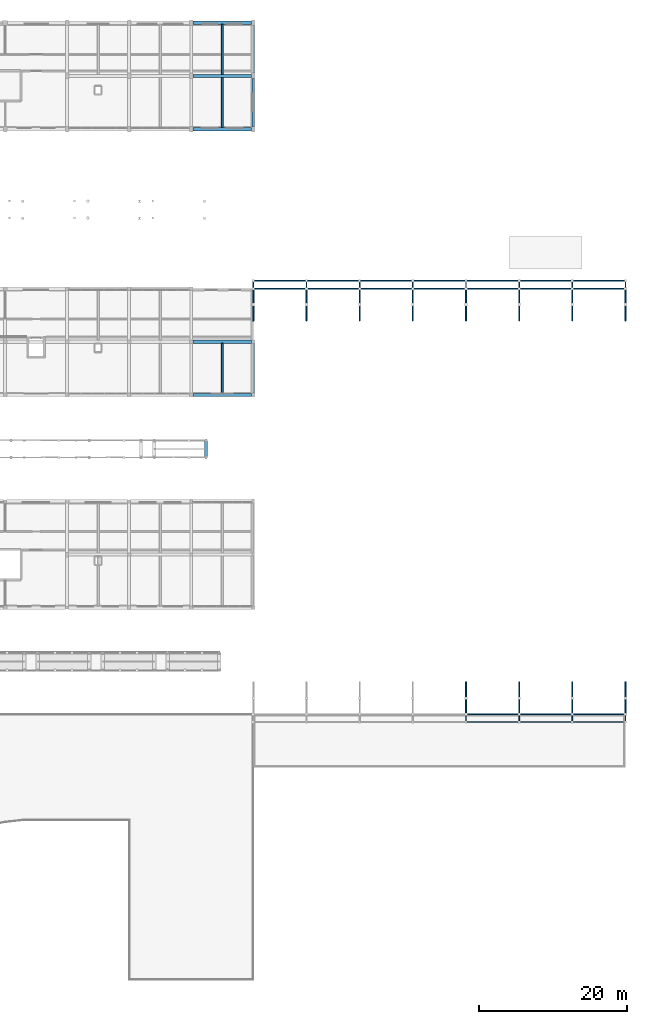
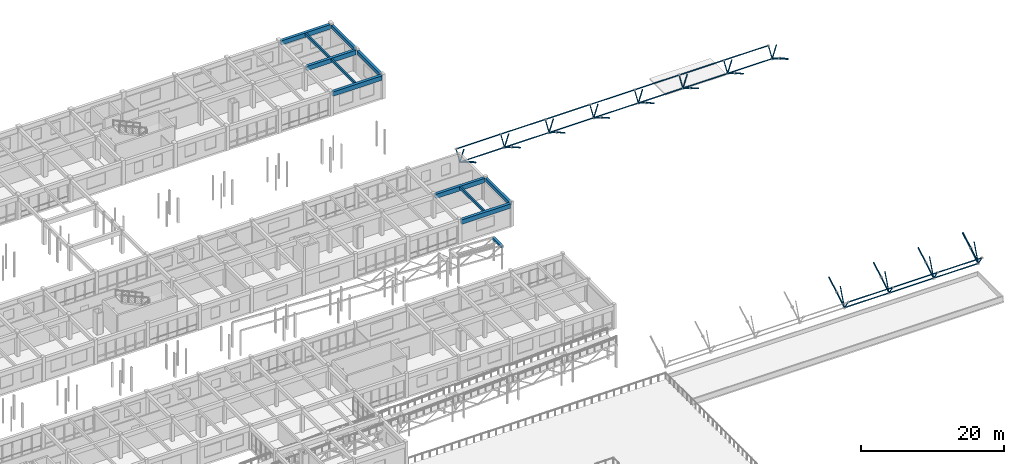
# One storey, part 55 of 90: 68 members, 12 beams.
"""IFC4 building model written with IfcOpenShell, lengths in metres."""

import ifcopenshell
import ifcopenshell.guid

model = None  # the IFC model being written
_history = None  # IfcOwnerHistory: only IFC2X3 demands one
_inside = {}  # id of a spatial element -> (the spatial element, [elements in it])
_under = {}  # id of a project, library or spatial element -> (it, [spatial elements below it])
_declared = {}  # id of a project -> (the project, [libraries it declares])
_typed = {}  # id of a type object -> (the type object, [elements of that type])
_made_of = {}  # id of a material, layer set ... -> (it, [elements and type objects made of it])


def new_model(schema):
    """Start an empty IFC model of exactly this schema.

    Asked for "IFC4X3", IfcOpenShell would pick the latest addendum, in which some entities
    have other attributes; the version numbers below select the first issue.
    IFC2X3 requires an IfcOwnerHistory on every rooted entity: one is made here for all.
    """
    global model, _history
    if schema == "IFC4X3":
        model = ifcopenshell.file(schema_version=(4, 3, 0, 0))
    else:
        model = ifcopenshell.file(schema=schema)
    _inside.clear()
    _under.clear()
    _declared.clear()
    _typed.clear()
    _made_of.clear()
    _history = None
    if model.schema == "IFC2X3":
        org = make("IfcOrganization", Name="unknown")
        user = make(
            "IfcPersonAndOrganization",
            ThePerson=make("IfcPerson", FamilyName="unknown"),
            TheOrganization=org,
        )
        app = make(
            "IfcApplication",
            ApplicationDeveloper=org,
            Version="unknown",
            ApplicationFullName="unknown",
            ApplicationIdentifier="unknown",
        )
        _history = make(
            "IfcOwnerHistory",
            OwningUser=user,
            OwningApplication=app,
            ChangeAction="ADDED",
            CreationDate=0,
        )
    return model


def make(cls, **values):
    """One entity of the class cls with the attributes given. An attribute that is None is left unset."""
    return model.create_entity(
        cls, **{name: value for name, value in values.items() if value is not None}
    )


def rooted(cls, **values):
    """An entity with a GlobalId (a new one), such as an element, a storey or a relation."""
    return make(cls, GlobalId=ifcopenshell.guid.new(), OwnerHistory=_history, **values)


def si_unit(unit_type, name, prefix=None):
    """IfcSIUnit, for example si_unit("LENGTHUNIT", "METRE", prefix="MILLI")."""
    return make("IfcSIUnit", UnitType=unit_type, Prefix=prefix, Name=name)


def assignment(units):
    """IfcUnitAssignment: the units of a project."""
    return None if units is None else make("IfcUnitAssignment", Units=units)


def point(xyz):
    """IfcCartesianPoint."""
    return None if xyz is None else make("IfcCartesianPoint", Coordinates=xyz)


def direction(xyz):
    """IfcDirection."""
    return None if xyz is None else make("IfcDirection", DirectionRatios=xyz)


def frame(location, z_axis=None, x_axis=None):
    """IfcAxis2Placement3D, a coordinate frame: its origin and axes. An axis left out is left unset."""
    return make(
        "IfcAxis2Placement3D",
        Location=point(location),
        Axis=direction(z_axis),
        RefDirection=direction(x_axis),
    )


def frame_2d(location, x_axis=None):
    """IfcAxis2Placement2D, a coordinate frame in the plane: its origin and x axis."""
    return make(
        "IfcAxis2Placement2D", Location=point(location), RefDirection=direction(x_axis)
    )


def origin():
    """The frame at (0, 0, 0) with its axes left unset."""
    return frame((0.0, 0.0, 0.0))


def origin_2d():
    """The frame at (0, 0) in the plane with its x axis left unset."""
    return frame_2d((0.0, 0.0))


def place(relative_to, where):
    """IfcLocalPlacement: puts the frame where relative to a parent placement (None: the world)."""
    return make(
        "IfcLocalPlacement", PlacementRelTo=relative_to, RelativePlacement=where
    )


def context(
    kind, dimensions, precision=None, world=None, true_north=None, identifier=None
):
    """IfcGeometricRepresentationContext, for example the 3D "Model" context."""
    return make(
        "IfcGeometricRepresentationContext",
        ContextIdentifier=identifier,
        ContextType=kind,
        CoordinateSpaceDimension=dimensions,
        Precision=precision,
        WorldCoordinateSystem=world,
        TrueNorth=true_north,
    )


def subcontext(parent, identifier, kind, view, scale=None):
    """IfcGeometricRepresentationSubContext, for example "Body" below "Model"."""
    return make(
        "IfcGeometricRepresentationSubContext",
        ContextIdentifier=identifier,
        ContextType=kind,
        ParentContext=parent,
        TargetScale=scale,
        TargetView=view,
    )


def project(units=None, contexts=None):
    """IfcProject with its units and contexts."""
    return rooted(
        "IfcProject",
        Name="project",
        RepresentationContexts=contexts,
        UnitsInContext=assignment(units),
    )


def spatial(cls, under=None, at=None, **own):
    """A site, building, storey or space (cls), placed at a placement, below another one or the project."""
    s = rooted(cls, ObjectPlacement=at, **own)
    if under is not None:
        _under.setdefault(under.id(), (under, []))[1].append(s)
    return s


def profile(cls, at=None, kind="AREA", **sizes):
    """A parametric profile (cls). Its sizes go by their IFC names, for example OverallWidth=200.0."""
    return make(cls, ProfileType=kind, Position=at, **sizes)


def rectangle(**sizes):
    """IfcRectangleProfileDef."""
    return profile("IfcRectangleProfileDef", **sizes)


def hollow_rectangle(**sizes):
    """IfcRectangleHollowProfileDef."""
    return profile("IfcRectangleHollowProfileDef", **sizes)


def hollow_circle(**sizes):
    """IfcCircleHollowProfileDef."""
    return profile("IfcCircleHollowProfileDef", **sizes)


def extrude(swept, where, along, depth):
    """IfcExtrudedAreaSolid: the profile swept, set in the frame where, extruded along a direction by depth."""
    return make(
        "IfcExtrudedAreaSolid",
        SweptArea=swept,
        Position=where,
        ExtrudedDirection=direction(along),
        Depth=depth,
    )


def shape(context_of_items, identifier, shape_type, items):
    """IfcShapeRepresentation: the items that make up one representation, for example the "Body"."""
    return make(
        "IfcShapeRepresentation",
        ContextOfItems=context_of_items,
        RepresentationIdentifier=identifier,
        RepresentationType=shape_type,
        Items=items,
    )


def material(Name=None, Category=None):
    """IfcMaterial."""
    return make("IfcMaterial", Name=Name, Category=Category)


def material_profile(
    of_material, cross_section, Name=None, Category=None, Priority=None
):
    """IfcMaterialProfile: a cross section and its material."""
    return make(
        "IfcMaterialProfile",
        Name=Name,
        Material=of_material,
        Profile=cross_section,
        Priority=Priority,
        Category=Category,
    )


def profile_set(profiles, Name=None, composite=None):
    """IfcMaterialProfileSet."""
    return make(
        "IfcMaterialProfileSet",
        Name=Name,
        MaterialProfiles=profiles,
        CompositeProfile=composite,
    )


def made_of(thing, what):
    """Note that an element or type object is made of a material, layer set ...; save() writes the relation."""
    if what is not None:
        _made_of.setdefault(what.id(), (what, []))[1].append(thing)
    return thing


def type_object(cls, material=None, **own):
    """A type object (cls), such as IfcWallType, which elements share."""
    return made_of(rooted(cls, **own), material)


def element(
    cls,
    number,
    at=None,
    inside=None,
    cuts=None,
    type_object=None,
    material=None,
    context=None,
    identifier="Body",
    shape_type=None,
    held_by="IfcProductDefinitionShape",
    body=None,
    shapes=None,
    **own,
):
    """One element of the class cls, such as IfcWall. Its Tag is "e" and its number.

    at: its placement. inside: the storey or other place that contains it. cuts: it is an
    opening in that element (IfcRelVoidsElement). A single representation is given by context,
    identifier, shape_type and body (its items); several are given by shapes. held_by: the class
    of the entity that holds the representations. save() writes the other relations.
    """
    e = rooted(cls, Tag="e%d" % number, ObjectPlacement=at, **own)
    if body is not None:
        shapes = [shape(context, identifier, shape_type, body)]
    if shapes is not None:
        e.Representation = make(held_by, Representations=shapes)
    if inside is not None:
        _inside.setdefault(inside.id(), (inside, []))[1].append(e)
    if cuts is not None:
        rooted(
            "IfcRelVoidsElement", RelatingBuildingElement=cuts, RelatedOpeningElement=e
        )
    if type_object is not None:
        _typed.setdefault(type_object.id(), (type_object, []))[1].append(e)
    return made_of(e, material)


def aggregate(whole, parts):
    """IfcRelAggregates: a whole, such as a stair, and the parts it consists of."""
    return rooted("IfcRelAggregates", RelatingObject=whole, RelatedObjects=parts)


def save(model, path):
    """Write the relations noted so far, then the file.

    IfcRelAggregates (storeys below a building ...), IfcRelContainedInSpatialStructure (elements
    in a storey), IfcRelDefinesByType, IfcRelAssociatesMaterial and IfcRelDeclares: one each for
    every whole, place, type object, material and project.
    """
    for whole, parts in _under.values():
        aggregate(whole, parts)
    for where, things in _inside.values():
        rooted(
            "IfcRelContainedInSpatialStructure",
            RelatedElements=things,
            RelatingStructure=where,
        )
    for kind, things in _typed.values():
        rooted("IfcRelDefinesByType", RelatedObjects=things, RelatingType=kind)
    for what, things in _made_of.values():
        rooted("IfcRelAssociatesMaterial", RelatedObjects=things, RelatingMaterial=what)
    for by, libraries in _declared.values():
        rooted("IfcRelDeclares", RelatingContext=by, RelatedDefinitions=libraries)
    model.write(path)


model = new_model("IFC4")

# Units and contexts
model_context = context("Model", 3, precision=1e-05, world=origin(), true_north=direction((0.0, 1.0)))
body_context = subcontext(model_context, "Body", "Model", "MODEL_VIEW")
ifc_project = project(units=[si_unit("LENGTHUNIT", "METRE"), si_unit("AREAUNIT", "SQUARE_METRE"), si_unit("VOLUMEUNIT", "CUBIC_METRE"), si_unit("PLANEANGLEUNIT", "RADIAN"), si_unit("MASSUNIT", "GRAM", prefix="KILO")], contexts=[model_context])

# Site, building, storey
site_placement = place(None, origin())
site = spatial("IfcSite", under=ifc_project, at=site_placement, CompositionType="ELEMENT")
building_placement = place(site_placement, origin())
building = spatial("IfcBuilding", under=site, at=building_placement, Name="Malvenik Polytechnic", CompositionType="ELEMENT")
storey_placement = place(building_placement, frame((0.0, 0.0, 9.300048828125)))
storey = spatial("IfcBuildingStorey", under=building, at=storey_placement, Name="L02", CompositionType="ELEMENT", Elevation=9.300048828125)

# Beams
ifc_material_1 = material(Name="Concrete C35/45", Category="concrete")
ifc_material_profile_1 = material_profile(ifc_material_1, rectangle(XDim=0.449951171875, YDim=0.75, at=origin_2d()), Name="RC BM 450x750")
ifc_profile_set_1 = profile_set([ifc_material_profile_1], Name="Concrete C35/45")
beam_type_1 = type_object("IfcBeamType", Name="STR-BM-B-03", PredefinedType="BEAM", material=ifc_profile_set_1)
for number, where, z_axis, x_axis, name in (
    (1, (126.248046875, 86.39990234375, 3.56494140625), (1.0, 0.0, 0.0), (0.0, 1.0, 0.0), "Primary Beam B-03 L02 #1403"),
    (2, (126.248046875, 122.39990234375, 3.56494140625), (1.0, 0.0, 0.0), (0.0, 1.0, 0.0), "Primary Beam B-03 L02 #1446"),
):
    element("IfcBeam", number, at=place(storey_placement, frame(where, z_axis=z_axis, x_axis=x_axis)), inside=storey, type_object=beam_type_1, Name=name, PredefinedType="BEAM", context=body_context, shape_type="SweptSolid", body=[
        extrude(rectangle(XDim=0.449951171875, YDim=0.75, at=origin_2d()), origin(), (0.0, 0.0, 1.0), 7.904052734375),
    ])
ifc_material_profile_2 = material_profile(ifc_material_1, rectangle(XDim=0.39990234375, YDim=0.60009765625, at=origin_2d()), Name="RC BM 400x600")
ifc_profile_set_2 = profile_set([ifc_material_profile_2], Name="Concrete C35/45")
beam_type_2 = type_object("IfcBeamType", Name="STR-BM-B-06", PredefinedType="BEAM", material=ifc_profile_set_2)
beam_1_placement = place(storey_placement, frame((134.39990234375, 79.447998046875, 3.639892578125), z_axis=(0.0, 1.0, 0.0), x_axis=(-1.0, 0.0, 0.0)))
element("IfcBeam", 3, at=beam_1_placement, inside=storey, type_object=beam_type_2, Name="Transverse Beam B-06 L02 #1557", PredefinedType="BEAM", context=body_context, shape_type="SweptSolid", body=[
    extrude(rectangle(XDim=0.39990234375, YDim=0.60009765625, at=origin_2d()), origin(), (0.0, 0.0, 1.0), 6.7041015625),
])
for number, where, z_axis, x_axis, name in (
    (4, (134.39990234375, 115.572998046875, 3.639892578125), (0.0, 1.0, 0.0), (-1.0, 0.0, 0.0), "Transverse Beam B-06 L02 #1558"),
    (5, (134.39990234375, 122.77294921875, 3.639892578125), (0.0, 1.0, 0.0), (-1.0, 0.0, 0.0), "Transverse Beam B-06 L02 #1559"),
):
    element("IfcBeam", number, at=place(storey_placement, frame(where, z_axis=z_axis, x_axis=x_axis)), inside=storey, type_object=beam_type_2, Name=name, PredefinedType="BEAM", context=body_context, shape_type="SweptSolid", body=[
        extrude(rectangle(XDim=0.39990234375, YDim=0.60009765625, at=origin_2d()), origin(), (0.0, 0.0, 1.0), 6.4541015625),
    ])
ifc_material_2 = material(Name="Concrete C30/37", Category="concrete")
ifc_material_profile_3 = material_profile(ifc_material_2, rectangle(XDim=0.25, YDim=0.449951171875, at=origin_2d()), Name="RC JST 250x450")
ifc_profile_set_3 = profile_set([ifc_material_profile_3], Name="Concrete C30/37")
beam_type_3 = type_object("IfcBeamType", Name="STR-BM-J-02", PredefinedType="JOIST", material=ifc_profile_set_3)
for number, where, z_axis, x_axis, name in (
    (6, (130.199951171875, 79.427978515625, 3.71484375), (0.0, 1.0, 0.0), (-1.0, 0.0, 0.0), "Secondary Rib Joist J-02 L02 #1619"),
    (7, (130.199951171875, 115.427978515625, 3.71484375), (0.0, 1.0, 0.0), (-1.0, 0.0, 0.0), "Secondary Rib Joist J-02 L02 #1620"),
    (8, (130.199951171875, 122.623046875, 3.71484375), (0.0, 1.0, 0.0), (-1.0, 0.0, 0.0), "Secondary Rib Joist J-02 L02 #1621"),
):
    element("IfcBeam", number, at=place(storey_placement, frame(where, z_axis=z_axis, x_axis=x_axis)), inside=storey, type_object=beam_type_3, Name=name, PredefinedType="JOIST", context=body_context, shape_type="SweptSolid", body=[
        extrude(rectangle(XDim=0.25, YDim=0.449951171875, at=origin_2d()), origin(), (0.0, 0.0, 1.0), 6.7490234375),
    ])
ifc_material_3 = material(Name="Steel S355J2H", Category="steel")
ifc_material_profile_4 = material_profile(ifc_material_3, hollow_rectangle(XDim=0.449951171875, YDim=0.300048828125, WallThickness=0.012451171875, at=origin_2d()), Name="RHS 450x300x12.5")
ifc_profile_set_4 = profile_set([ifc_material_profile_4], Name="Steel S355J2H")
beam_type_4 = type_object("IfcBeamType", Name="STR-BM-SB-07", PredefinedType="BEAM", material=ifc_profile_set_4)
beam_2_placement = place(storey_placement, frame((128.0, 70.64990234375, 3.822021484375), z_axis=(0.0, 1.0, 0.0), x_axis=(-1.0, 0.0, 0.0)))
element("IfcBeam", 9, at=beam_2_placement, inside=storey, type_object=beam_type_4, Name="Ramp Joint Transom RB-02 #0", PredefinedType="BEAM", context=body_context, shape_type="SweptSolid", body=[
    extrude(hollow_rectangle(XDim=0.449951171875, YDim=0.300048828125, WallThickness=0.012451171875, at=origin_2d()), origin(), (0.0, 0.0, 1.0), 2.5),
])
ifc_material_4 = material(Name="Precast concrete C40/50", Category="concrete")
ifc_material_profile_5 = material_profile(ifc_material_4, rectangle(XDim=0.4599609375, YDim=0.75, at=origin_2d()), Name="PC SPN 460x750")
ifc_profile_set_5 = profile_set([ifc_material_profile_5], Name="Precast concrete C40/50")
beam_type_5 = type_object("IfcBeamType", Name="STR-BM-SP-02", PredefinedType="SPANDREL", material=ifc_profile_set_5)
for number, where, z_axis, x_axis, name in (
    (10, (126.248046875, 79.199951171875, 3.56494140625), (1.0, 0.0, 0.0), (0.0, 1.0, 0.0), "Primary Beam SP-02 L02 #1391"),
    (11, (126.248046875, 115.199951171875, 3.56494140625), (1.0, 0.0, 0.0), (0.0, 1.0, 0.0), "Primary Beam SP-02 L02 #1436"),
    (12, (126.248046875, 129.60009765625, 3.56494140625), (1.0, 0.0, 0.0), (0.0, 1.0, 0.0), "Primary Beam SP-02 L02 #1462"),
):
    element("IfcBeam", number, at=place(storey_placement, frame(where, z_axis=z_axis, x_axis=x_axis)), inside=storey, type_object=beam_type_5, Name=name, PredefinedType="SPANDREL", context=body_context, shape_type="SweptSolid", body=[
        extrude(rectangle(XDim=0.4599609375, YDim=0.75, at=origin_2d()), origin(), (0.0, 0.0, 1.0), 7.904052734375),
    ])

# Members
ifc_material_profile_6 = material_profile(ifc_material_3, hollow_circle(Radius=0.136474609375, WallThickness=0.010009765625, at=origin_2d()), Name="CHS 273.0x10.0")
ifc_profile_set_6 = profile_set([ifc_material_profile_6], Name="Steel S355J2H")
member_type_1 = type_object("IfcMemberType", Name="STR-MEM-SFB-01", PredefinedType="CHORD", material=ifc_profile_set_6)
for number, where, z_axis, x_axis, name in (
    (13, (134.39990234375, 89.23681640625, 4.703857421875), (0.0, 0.870991146737, -0.491298709856), (-1.0, 0.0, 0.0), "Space-Frame Tube SFB-01 STR-SF-BC-0045"),
    (14, (134.39990234375, 91.451904296875, 3.454345703125), (0.0, 0.845898215959, -0.533344361775), (-1.0, 0.0, 0.0), "Space-Frame Tube SFB-01 STR-SF-BC-0047"),
    (15, (184.800048828125, 36.00341796875, 2.10205078125), (0.0, 0.845870822629, 0.533387805845), (-1.0, 0.0, 0.0), "Space-Frame Tube SFB-01 STR-SF-BC-0680"),
    (16, (184.800048828125, 38.15478515625, 3.458251953125), (0.0, 0.870991146737, 0.491298709856), (-1.0, 0.0, 0.0), "Space-Frame Tube SFB-01 STR-SF-BC-0682"),
    (17, (184.800048828125, 89.23681640625, 4.703857421875), (0.0, 0.870991146737, -0.491298709856), (-1.0, 0.0, 0.0), "Space-Frame Tube SFB-01 STR-SF-BC-0724"),
    (18, (184.800048828125, 91.451904296875, 3.454345703125), (0.0, 0.845898215959, -0.533344361775), (-1.0, 0.0, 0.0), "Space-Frame Tube SFB-01 STR-SF-BC-0726"),
):
    element("IfcMember", number, at=place(storey_placement, frame(where, z_axis=z_axis, x_axis=x_axis)), inside=storey, type_object=member_type_1, Name=name, PredefinedType="CHORD", context=body_context, shape_type="SweptSolid", body=[
        extrude(hollow_circle(Radius=0.136474609375, WallThickness=0.010009765625, at=origin_2d()), origin(), (0.0, 0.0, 1.0), 2.535400390625),
    ])
ifc_material_profile_7 = material_profile(ifc_material_3, hollow_circle(Radius=0.109619140625, WallThickness=0.010009765625, at=origin_2d()), Name="CHS 219.1x10.0")
ifc_profile_set_7 = profile_set([ifc_material_profile_7], Name="Steel S355J2H")
member_type_2 = type_object("IfcMemberType", Name="STR-MEM-SFB-02", PredefinedType="CHORD", material=ifc_profile_set_7)
for number, where, z_axis, x_axis, name in (
    (19, (141.60009765625, 89.23681640625, 4.703857421875), (0.0, 0.870991146737, -0.491298709856), (-1.0, 0.0, 0.0), "Space-Frame Tube SFB-02 STR-SF-BC-0142"),
    (20, (141.60009765625, 91.451904296875, 3.454345703125), (0.0, 0.845898215959, -0.533344361775), (-1.0, 0.0, 0.0), "Space-Frame Tube SFB-02 STR-SF-BC-0144"),
    (21, (156.0, 89.23681640625, 4.703857421875), (0.0, 0.870991146737, -0.491298709856), (-1.0, 0.0, 0.0), "Space-Frame Tube SFB-02 STR-SF-BC-0336"),
    (22, (156.0, 91.451904296875, 3.454345703125), (0.0, 0.845898215959, -0.533344361775), (-1.0, 0.0, 0.0), "Space-Frame Tube SFB-02 STR-SF-BC-0338"),
    (23, (170.39990234375, 36.00341796875, 2.10205078125), (0.0, 0.845870822629, 0.533387805845), (-1.0, 0.0, 0.0), "Space-Frame Tube SFB-02 STR-SF-BC-0486"),
    (24, (170.39990234375, 38.15478515625, 3.458251953125), (0.0, 0.870991146737, 0.491298709856), (-1.0, 0.0, 0.0), "Space-Frame Tube SFB-02 STR-SF-BC-0488"),
    (25, (170.39990234375, 89.23681640625, 4.703857421875), (0.0, 0.870991146737, -0.491298709856), (-1.0, 0.0, 0.0), "Space-Frame Tube SFB-02 STR-SF-BC-0530"),
    (26, (170.39990234375, 91.451904296875, 3.454345703125), (0.0, 0.845898215959, -0.533344361775), (-1.0, 0.0, 0.0), "Space-Frame Tube SFB-02 STR-SF-BC-0532"),
):
    element("IfcMember", number, at=place(storey_placement, frame(where, z_axis=z_axis, x_axis=x_axis)), inside=storey, type_object=member_type_2, Name=name, PredefinedType="CHORD", context=body_context, shape_type="SweptSolid", body=[
        extrude(hollow_circle(Radius=0.109619140625, WallThickness=0.010009765625, at=origin_2d()), origin(), (0.0, 0.0, 1.0), 2.535400390625),
    ])
ifc_material_profile_8 = material_profile(ifc_material_3, hollow_circle(Radius=0.109619140625, WallThickness=0.008056640625, at=origin_2d()), Name="CHS 219.1x8.0")
ifc_profile_set_8 = profile_set([ifc_material_profile_8], Name="Steel S355J2H")
member_type_3 = type_object("IfcMemberType", Name="STR-MEM-SFB-03", PredefinedType="CHORD", material=ifc_profile_set_8)
for number, where, z_axis, x_axis, name in (
    (27, (148.800048828125, 89.23681640625, 4.703857421875), (0.0, 0.870991146737, -0.491298709856), (-1.0, 0.0, 0.0), "Space-Frame Tube SFB-03 STR-SF-BC-0239"),
    (28, (148.800048828125, 91.451904296875, 3.454345703125), (0.0, 0.845898215959, -0.533344361775), (-1.0, 0.0, 0.0), "Space-Frame Tube SFB-03 STR-SF-BC-0241"),
    (29, (163.199951171875, 36.00341796875, 2.10205078125), (0.0, 0.845870822629, 0.533387805845), (-1.0, 0.0, 0.0), "Space-Frame Tube SFB-03 STR-SF-BC-0389"),
    (30, (163.199951171875, 38.15478515625, 3.458251953125), (0.0, 0.870991146737, 0.491298709856), (-1.0, 0.0, 0.0), "Space-Frame Tube SFB-03 STR-SF-BC-0391"),
    (31, (163.199951171875, 89.23681640625, 4.703857421875), (0.0, 0.870991146737, -0.491298709856), (-1.0, 0.0, 0.0), "Space-Frame Tube SFB-03 STR-SF-BC-0433"),
    (32, (163.199951171875, 91.451904296875, 3.454345703125), (0.0, 0.845898215959, -0.533344361775), (-1.0, 0.0, 0.0), "Space-Frame Tube SFB-03 STR-SF-BC-0435"),
    (33, (177.60009765625, 36.00341796875, 2.10205078125), (0.0, 0.845870822629, 0.533387805845), (-1.0, 0.0, 0.0), "Space-Frame Tube SFB-03 STR-SF-BC-0583"),
    (34, (177.60009765625, 38.15478515625, 3.458251953125), (0.0, 0.870991146737, 0.491298709856), (-1.0, 0.0, 0.0), "Space-Frame Tube SFB-03 STR-SF-BC-0585"),
    (35, (177.60009765625, 89.23681640625, 4.703857421875), (0.0, 0.870991146737, -0.491298709856), (-1.0, 0.0, 0.0), "Space-Frame Tube SFB-03 STR-SF-BC-0627"),
    (36, (177.60009765625, 91.451904296875, 3.454345703125), (0.0, 0.845898215959, -0.533344361775), (-1.0, 0.0, 0.0), "Space-Frame Tube SFB-03 STR-SF-BC-0629"),
):
    element("IfcMember", number, at=place(storey_placement, frame(where, z_axis=z_axis, x_axis=x_axis)), inside=storey, type_object=member_type_3, Name=name, PredefinedType="CHORD", context=body_context, shape_type="SweptSolid", body=[
        extrude(hollow_circle(Radius=0.109619140625, WallThickness=0.008056640625, at=origin_2d()), origin(), (0.0, 0.0, 1.0), 2.535400390625),
    ])
ifc_material_profile_9 = material_profile(ifc_material_3, hollow_circle(Radius=0.084228515625, WallThickness=0.008056640625, at=origin_2d()), Name="CHS 168.3x8.0")
ifc_profile_set_9 = profile_set([ifc_material_profile_9], Name="Steel S355J2H")
member_type_4 = type_object("IfcMemberType", Name="STR-MEM-SFD-01", PredefinedType="BRACE", material=ifc_profile_set_9)
for number, where, z_axis, x_axis, name in (
    (37, (134.39990234375, 93.602294921875, 2.103271484375), (0.0, 0.553847636022, 0.832618037321), (-1.0, 0.0, 0.0), "Space-Frame Tube SFD-01 STR-SF-WB-0073"),
    (38, (141.60009765625, 93.602294921875, 2.103271484375), (0.0, 0.553847636022, 0.832618037321), (-1.0, 0.0, 0.0), "Space-Frame Tube SFD-01 STR-SF-WB-0170"),
    (39, (148.800048828125, 93.602294921875, 2.103271484375), (0.0, 0.553847636022, 0.832618037321), (-1.0, 0.0, 0.0), "Space-Frame Tube SFD-01 STR-SF-WB-0267"),
    (40, (156.0, 93.602294921875, 2.103271484375), (0.0, 0.553847636022, 0.832618037321), (-1.0, 0.0, 0.0), "Space-Frame Tube SFD-01 STR-SF-WB-0364"),
    (41, (163.199951171875, 35.997802734375, 2.103271484375), (0.0, -0.553847636022, 0.832618037321), (1.0, 0.0, 0.0), "Space-Frame Tube SFD-01 STR-SF-WB-0437"),
    (42, (163.199951171875, 93.602294921875, 2.103271484375), (0.0, 0.553847636022, 0.832618037321), (-1.0, 0.0, 0.0), "Space-Frame Tube SFD-01 STR-SF-WB-0461"),
    (43, (170.39990234375, 35.997802734375, 2.103271484375), (0.0, -0.553847636022, 0.832618037321), (1.0, 0.0, 0.0), "Space-Frame Tube SFD-01 STR-SF-WB-0534"),
    (44, (170.39990234375, 93.602294921875, 2.103271484375), (0.0, 0.553847636022, 0.832618037321), (-1.0, 0.0, 0.0), "Space-Frame Tube SFD-01 STR-SF-WB-0558"),
    (45, (177.60009765625, 35.997802734375, 2.103271484375), (0.0, -0.553847636022, 0.832618037321), (1.0, 0.0, 0.0), "Space-Frame Tube SFD-01 STR-SF-WB-0631"),
    (46, (177.60009765625, 93.602294921875, 2.103271484375), (0.0, 0.553847636022, 0.832618037321), (-1.0, 0.0, 0.0), "Space-Frame Tube SFD-01 STR-SF-WB-0655"),
    (47, (184.800048828125, 35.997802734375, 2.103271484375), (0.0, -0.553847636022, 0.832618037321), (1.0, 0.0, 0.0), "Space-Frame Tube SFD-01 STR-SF-WB-0728"),
    (48, (184.800048828125, 93.602294921875, 2.103271484375), (0.0, 0.553847636022, 0.832618037321), (-1.0, 0.0, 0.0), "Space-Frame Tube SFD-01 STR-SF-WB-0752"),
):
    element("IfcMember", number, at=place(storey_placement, frame(where, z_axis=z_axis, x_axis=x_axis)), inside=storey, type_object=member_type_4, Name=name, PredefinedType="BRACE", context=body_context, shape_type="SweptSolid", body=[
        extrude(hollow_circle(Radius=0.084228515625, WallThickness=0.008056640625, at=origin_2d()), origin(), (0.0, 0.0, 1.0), 1.9169921875),
    ])
ifc_material_profile_10 = material_profile(ifc_material_3, hollow_circle(Radius=0.084228515625, WallThickness=0.00634765625, at=origin_2d()), Name="CHS 168.3x6.3")
ifc_profile_set_10 = profile_set([ifc_material_profile_10], Name="Steel S355J2H")
member_type_5 = type_object("IfcMemberType", Name="STR-MEM-SFD-02", PredefinedType="BRACE", material=ifc_profile_set_10)
for number, where, z_axis, x_axis, name in (
    (49, (163.199951171875, 36.00146484375, 2.103759765625), (0.0, 0.361011124202, 0.932561509072), (-1.0, 0.0, 0.0), "Space-Frame Tube SFD-02 STR-SF-AD-0462"),
    (50, (170.39990234375, 36.00146484375, 2.103759765625), (0.0, 0.361011124202, 0.932561509072), (-1.0, 0.0, 0.0), "Space-Frame Tube SFD-02 STR-SF-AD-0559"),
    (51, (177.60009765625, 36.00146484375, 2.103759765625), (0.0, 0.361011124202, 0.932561509072), (-1.0, 0.0, 0.0), "Space-Frame Tube SFD-02 STR-SF-AD-0656"),
    (52, (184.800048828125, 36.00146484375, 2.103759765625), (0.0, 0.361011124202, 0.932561509072), (-1.0, 0.0, 0.0), "Space-Frame Tube SFD-02 STR-SF-AD-0753"),
):
    element("IfcMember", number, at=place(storey_placement, frame(where, z_axis=z_axis, x_axis=x_axis)), inside=storey, type_object=member_type_5, Name=name, PredefinedType="BRACE", context=body_context, shape_type="SweptSolid", body=[
        extrude(hollow_circle(Radius=0.084228515625, WallThickness=0.00634765625, at=origin_2d()), origin(), (0.0, 0.0, 1.0), 3.218994140625),
    ])
ifc_material_profile_11 = material_profile(ifc_material_3, hollow_circle(Radius=0.05712890625, WallThickness=0.0048828125, at=origin_2d()), Name="CHS 114.3x5.0")
ifc_profile_set_11 = profile_set([ifc_material_profile_11], Name="Steel S355J2H")
member_type_6 = type_object("IfcMemberType", Name="STR-MEM-SFD-04", PredefinedType="BRACE", material=ifc_profile_set_11)
member_placement = place(storey_placement, frame((134.39990234375, 92.514404296875, 4.904052734375), z_axis=(0.0, 0.361021137141, -0.932557632824), x_axis=(-1.0, 0.0, 0.0)))
element("IfcMember", 53, at=member_placement, inside=storey, type_object=member_type_6, Name="Space-Frame Tube SFD-04 STR-SF-AD-0097", PredefinedType="BRACE", context=body_context, shape_type="SweptSolid", body=[
    extrude(hollow_circle(Radius=0.05712890625, WallThickness=0.0048828125, at=origin_2d()), origin(), (0.0, 0.0, 1.0), 2.786865234375),
])
for number, where, z_axis, x_axis, name in (
    (54, (141.60009765625, 92.4365234375, 5.105712890625), (0.0, 0.361011124202, -0.932561509072), (-1.0, 0.0, 0.0), "Space-Frame Tube SFD-04 STR-SF-AD-0194"),
    (55, (148.800048828125, 92.4365234375, 5.105712890625), (0.0, 0.361011124202, -0.932561509072), (-1.0, 0.0, 0.0), "Space-Frame Tube SFD-04 STR-SF-AD-0291"),
    (56, (156.0, 92.4365234375, 5.105712890625), (0.0, 0.361011124202, -0.932561509072), (-1.0, 0.0, 0.0), "Space-Frame Tube SFD-04 STR-SF-AD-0388"),
    (57, (163.199951171875, 92.4365234375, 5.105712890625), (0.0, 0.361011124202, -0.932561509072), (-1.0, 0.0, 0.0), "Space-Frame Tube SFD-04 STR-SF-AD-0485"),
    (58, (170.39990234375, 92.4365234375, 5.105712890625), (0.0, 0.361011124202, -0.932561509072), (-1.0, 0.0, 0.0), "Space-Frame Tube SFD-04 STR-SF-AD-0582"),
    (59, (177.60009765625, 92.4365234375, 5.105712890625), (0.0, 0.361011124202, -0.932561509072), (-1.0, 0.0, 0.0), "Space-Frame Tube SFD-04 STR-SF-AD-0679"),
    (60, (184.800048828125, 92.4365234375, 5.105712890625), (0.0, 0.361011124202, -0.932561509072), (-1.0, 0.0, 0.0), "Space-Frame Tube SFD-04 STR-SF-AD-0776"),
):
    element("IfcMember", number, at=place(storey_placement, frame(where, z_axis=z_axis, x_axis=x_axis)), inside=storey, type_object=member_type_6, Name=name, PredefinedType="BRACE", context=body_context, shape_type="SweptSolid", body=[
        extrude(hollow_circle(Radius=0.05712890625, WallThickness=0.0048828125, at=origin_2d()), origin(), (0.0, 0.0, 1.0), 3.218994140625),
    ])
ifc_material_profile_12 = material_profile(ifc_material_3, hollow_circle(Radius=0.096923828125, WallThickness=0.008056640625, at=origin_2d()), Name="CHS 193.7x8.0")
ifc_profile_set_12 = profile_set([ifc_material_profile_12], Name="Steel S355J2H")
member_type_7 = type_object("IfcMemberType", Name="STR-MEM-SFL-01", PredefinedType="CHORD", material=ifc_profile_set_12)
for number, where, z_axis, x_axis, name in (
    (61, (134.404052734375, 93.60009765625, 2.099853515625), (1.0, 0.0, 0.0), (0.0, 1.0, 0.0), "Space-Frame Tube SFL-01 STR-SF-LB-0801"),
    (62, (134.404052734375, 94.666259765625, 3.70263671875), (1.0, 0.0, 0.0), (0.0, 1.0, 0.0), "Space-Frame Tube SFL-01 STR-SF-LT-0802"),
    (63, (141.60400390625, 93.60009765625, 2.099853515625), (1.0, 0.0, 0.0), (0.0, 1.0, 0.0), "Space-Frame Tube SFL-01 STR-SF-LB-0843"),
    (64, (141.60400390625, 94.666259765625, 3.70263671875), (1.0, 0.0, 0.0), (0.0, 1.0, 0.0), "Space-Frame Tube SFL-01 STR-SF-LT-0844"),
):
    element("IfcMember", number, at=place(storey_placement, frame(where, z_axis=z_axis, x_axis=x_axis)), inside=storey, type_object=member_type_7, Name=name, PredefinedType="CHORD", context=body_context, shape_type="SweptSolid", body=[
        extrude(hollow_circle(Radius=0.096923828125, WallThickness=0.008056640625, at=origin_2d()), origin(), (0.0, 0.0, 1.0), 7.19189453125),
    ])
for number, where, z_axis, x_axis, name in (
    (65, (148.803955078125, 93.60009765625, 2.099853515625), (1.0, 0.0, 0.0), (0.0, 1.0, 0.0), "Space-Frame Tube SFL-01 STR-SF-LB-0885"),
    (66, (148.803955078125, 94.666259765625, 3.70263671875), (1.0, 0.0, 0.0), (0.0, 1.0, 0.0), "Space-Frame Tube SFL-01 STR-SF-LT-0886"),
    (67, (156.00390625, 93.60009765625, 2.099853515625), (1.0, 0.0, 0.0), (0.0, 1.0, 0.0), "Space-Frame Tube SFL-01 STR-SF-LB-0927"),
    (68, (156.00390625, 94.666259765625, 3.70263671875), (1.0, 0.0, 0.0), (0.0, 1.0, 0.0), "Space-Frame Tube SFL-01 STR-SF-LT-0928"),
):
    element("IfcMember", number, at=place(storey_placement, frame(where, z_axis=z_axis, x_axis=x_axis)), inside=storey, type_object=member_type_7, Name=name, PredefinedType="CHORD", context=body_context, shape_type="SweptSolid", body=[
        extrude(hollow_circle(Radius=0.096923828125, WallThickness=0.008056640625, at=origin_2d()), origin(), (0.0, 0.0, 1.0), 7.192138671875),
    ])
for number, where, z_axis, x_axis, name in (
    (69, (163.2041015625, 36.0, 2.099853515625), (1.0, 0.0, 0.0), (0.0, 1.0, 0.0), "Space-Frame Tube SFL-01 STR-SF-LB-0945"),
    (70, (163.2041015625, 34.933837890625, 3.70263671875), (1.0, 0.0, 0.0), (0.0, 1.0, 0.0), "Space-Frame Tube SFL-01 STR-SF-LT-0946"),
    (71, (163.2041015625, 93.60009765625, 2.099853515625), (1.0, 0.0, 0.0), (0.0, 1.0, 0.0), "Space-Frame Tube SFL-01 STR-SF-LB-0969"),
    (72, (163.2041015625, 94.666259765625, 3.70263671875), (1.0, 0.0, 0.0), (0.0, 1.0, 0.0), "Space-Frame Tube SFL-01 STR-SF-LT-0970"),
    (73, (170.404052734375, 36.0, 2.099853515625), (1.0, 0.0, 0.0), (0.0, 1.0, 0.0), "Space-Frame Tube SFL-01 STR-SF-LB-0987"),
    (74, (170.404052734375, 34.933837890625, 3.70263671875), (1.0, 0.0, 0.0), (0.0, 1.0, 0.0), "Space-Frame Tube SFL-01 STR-SF-LT-0988"),
    (75, (170.404052734375, 93.60009765625, 2.099853515625), (1.0, 0.0, 0.0), (0.0, 1.0, 0.0), "Space-Frame Tube SFL-01 STR-SF-LB-1011"),
    (76, (170.404052734375, 94.666259765625, 3.70263671875), (1.0, 0.0, 0.0), (0.0, 1.0, 0.0), "Space-Frame Tube SFL-01 STR-SF-LT-1012"),
    (77, (177.60400390625, 36.0, 2.099853515625), (1.0, 0.0, 0.0), (0.0, 1.0, 0.0), "Space-Frame Tube SFL-01 STR-SF-LB-1029"),
    (78, (177.60400390625, 34.933837890625, 3.70263671875), (1.0, 0.0, 0.0), (0.0, 1.0, 0.0), "Space-Frame Tube SFL-01 STR-SF-LT-1030"),
    (79, (177.60400390625, 93.60009765625, 2.099853515625), (1.0, 0.0, 0.0), (0.0, 1.0, 0.0), "Space-Frame Tube SFL-01 STR-SF-LB-1053"),
    (80, (177.60400390625, 94.666259765625, 3.70263671875), (1.0, 0.0, 0.0), (0.0, 1.0, 0.0), "Space-Frame Tube SFL-01 STR-SF-LT-1054"),
):
    element("IfcMember", number, at=place(storey_placement, frame(where, z_axis=z_axis, x_axis=x_axis)), inside=storey, type_object=member_type_7, Name=name, PredefinedType="CHORD", context=body_context, shape_type="SweptSolid", body=[
        extrude(hollow_circle(Radius=0.096923828125, WallThickness=0.008056640625, at=origin_2d()), origin(), (0.0, 0.0, 1.0), 7.19189453125),
    ])

save(model, "model.ifc")
